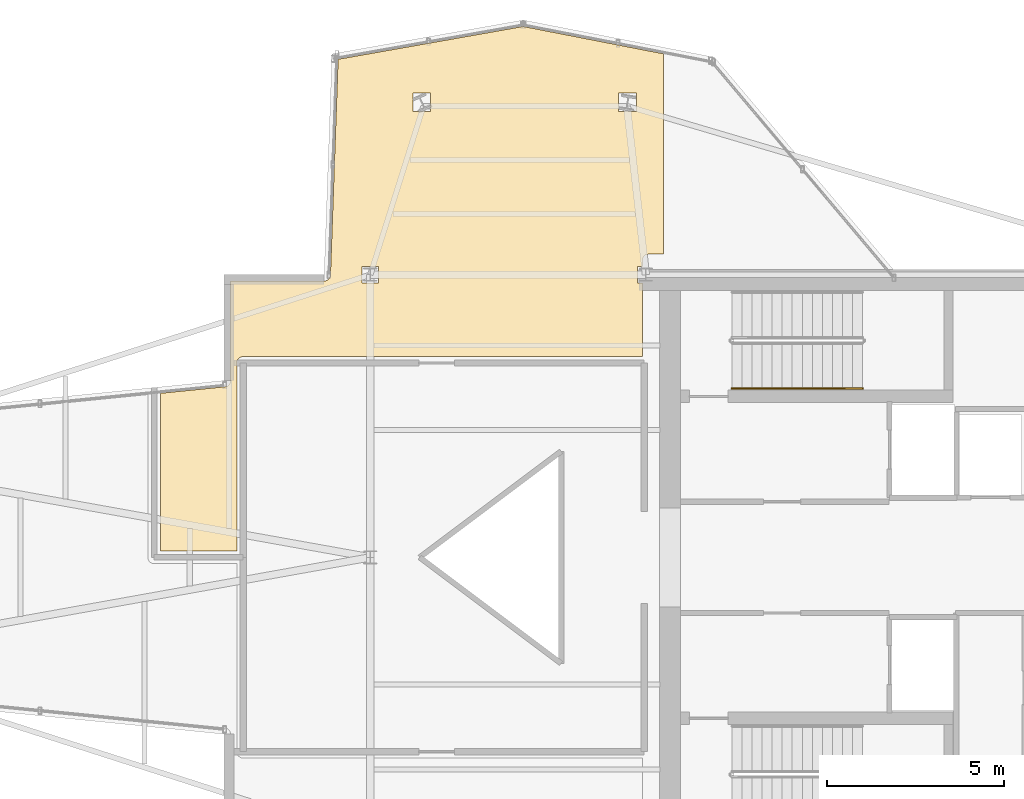
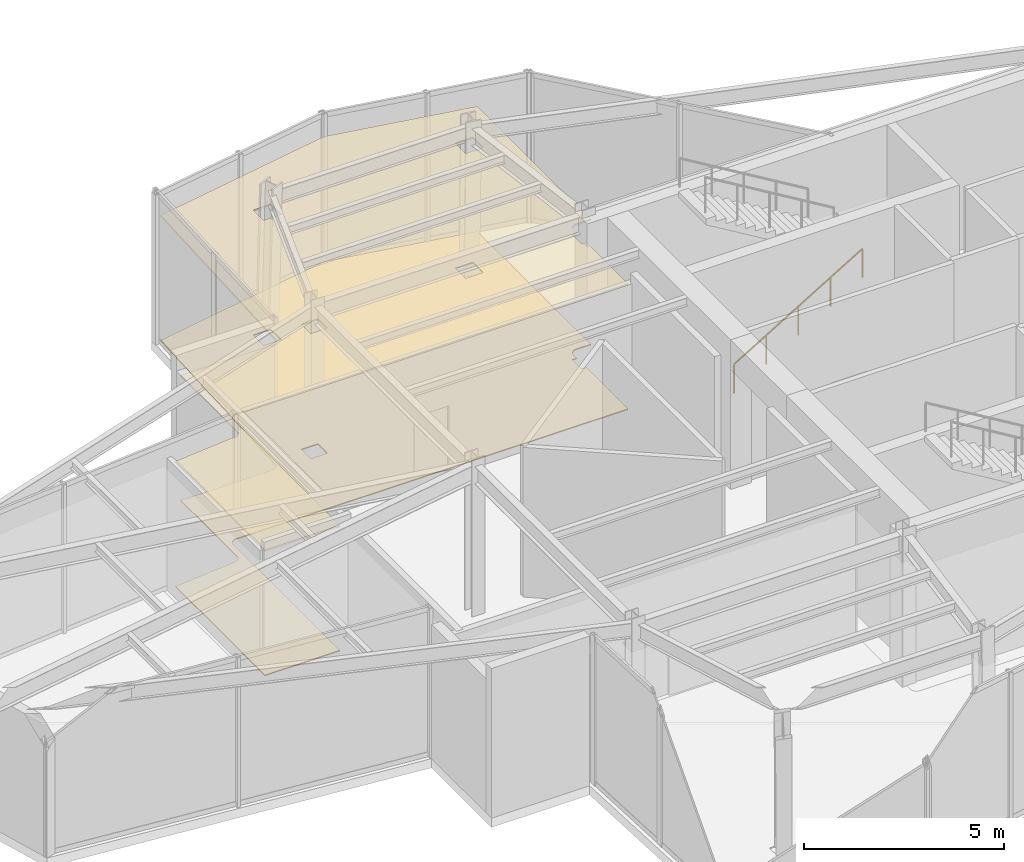
# One storey, part 14 of 15: 2 coverings, 1 railing.
"""IFC4 building model written with IfcOpenShell, lengths in metres."""

import ifcopenshell
import ifcopenshell.guid

model = None  # the IFC model being written
_history = None  # IfcOwnerHistory: only IFC2X3 demands one
_inside = {}  # id of a spatial element -> (the spatial element, [elements in it])
_under = {}  # id of a project, library or spatial element -> (it, [spatial elements below it])
_declared = {}  # id of a project -> (the project, [libraries it declares])
_typed = {}  # id of a type object -> (the type object, [elements of that type])
_made_of = {}  # id of a material, layer set ... -> (it, [elements and type objects made of it])


def new_model(schema):
    """Start an empty IFC model of exactly this schema.

    Asked for "IFC4X3", IfcOpenShell would pick the latest addendum, in which some entities
    have other attributes; the version numbers below select the first issue.
    IFC2X3 requires an IfcOwnerHistory on every rooted entity: one is made here for all.
    """
    global model, _history
    if schema == "IFC4X3":
        model = ifcopenshell.file(schema_version=(4, 3, 0, 0))
    else:
        model = ifcopenshell.file(schema=schema)
    _inside.clear()
    _under.clear()
    _declared.clear()
    _typed.clear()
    _made_of.clear()
    _history = None
    if model.schema == "IFC2X3":
        org = make("IfcOrganization", Name="unknown")
        user = make(
            "IfcPersonAndOrganization",
            ThePerson=make("IfcPerson", FamilyName="unknown"),
            TheOrganization=org,
        )
        app = make(
            "IfcApplication",
            ApplicationDeveloper=org,
            Version="unknown",
            ApplicationFullName="unknown",
            ApplicationIdentifier="unknown",
        )
        _history = make(
            "IfcOwnerHistory",
            OwningUser=user,
            OwningApplication=app,
            ChangeAction="ADDED",
            CreationDate=0,
        )
    return model


def make(cls, **values):
    """One entity of the class cls with the attributes given. An attribute that is None is left unset."""
    return model.create_entity(
        cls, **{name: value for name, value in values.items() if value is not None}
    )


def rooted(cls, **values):
    """An entity with a GlobalId (a new one), such as an element, a storey or a relation."""
    return make(cls, GlobalId=ifcopenshell.guid.new(), OwnerHistory=_history, **values)


def si_unit(unit_type, name, prefix=None):
    """IfcSIUnit, for example si_unit("LENGTHUNIT", "METRE", prefix="MILLI")."""
    return make("IfcSIUnit", UnitType=unit_type, Prefix=prefix, Name=name)


def assignment(units):
    """IfcUnitAssignment: the units of a project."""
    return None if units is None else make("IfcUnitAssignment", Units=units)


def point(xyz):
    """IfcCartesianPoint."""
    return None if xyz is None else make("IfcCartesianPoint", Coordinates=xyz)


def direction(xyz):
    """IfcDirection."""
    return None if xyz is None else make("IfcDirection", DirectionRatios=xyz)


def frame(location, z_axis=None, x_axis=None):
    """IfcAxis2Placement3D, a coordinate frame: its origin and axes. An axis left out is left unset."""
    return make(
        "IfcAxis2Placement3D",
        Location=point(location),
        Axis=direction(z_axis),
        RefDirection=direction(x_axis),
    )


def frame_2d(location, x_axis=None):
    """IfcAxis2Placement2D, a coordinate frame in the plane: its origin and x axis."""
    return make(
        "IfcAxis2Placement2D", Location=point(location), RefDirection=direction(x_axis)
    )


def origin():
    """The frame at (0, 0, 0) with its axes left unset."""
    return frame((0.0, 0.0, 0.0))


def origin_2d():
    """The frame at (0, 0) in the plane with its x axis left unset."""
    return frame_2d((0.0, 0.0))


def place(relative_to, where):
    """IfcLocalPlacement: puts the frame where relative to a parent placement (None: the world)."""
    return make(
        "IfcLocalPlacement", PlacementRelTo=relative_to, RelativePlacement=where
    )


def context(
    kind, dimensions, precision=None, world=None, true_north=None, identifier=None
):
    """IfcGeometricRepresentationContext, for example the 3D "Model" context."""
    return make(
        "IfcGeometricRepresentationContext",
        ContextIdentifier=identifier,
        ContextType=kind,
        CoordinateSpaceDimension=dimensions,
        Precision=precision,
        WorldCoordinateSystem=world,
        TrueNorth=true_north,
    )


def subcontext(parent, identifier, kind, view, scale=None):
    """IfcGeometricRepresentationSubContext, for example "Body" below "Model"."""
    return make(
        "IfcGeometricRepresentationSubContext",
        ContextIdentifier=identifier,
        ContextType=kind,
        ParentContext=parent,
        TargetScale=scale,
        TargetView=view,
    )


def project(units=None, contexts=None):
    """IfcProject with its units and contexts."""
    return rooted(
        "IfcProject",
        Name="project",
        RepresentationContexts=contexts,
        UnitsInContext=assignment(units),
    )


def spatial(cls, under=None, at=None, **own):
    """A site, building, storey or space (cls), placed at a placement, below another one or the project."""
    s = rooted(cls, ObjectPlacement=at, **own)
    if under is not None:
        _under.setdefault(under.id(), (under, []))[1].append(s)
    return s


def polyline(points):
    """IfcPolyline through the points."""
    return make("IfcPolyline", Points=[point(p) for p in points])


def profile(cls, at=None, kind="AREA", **sizes):
    """A parametric profile (cls). Its sizes go by their IFC names, for example OverallWidth=200.0."""
    return make(cls, ProfileType=kind, Position=at, **sizes)


def circle(**sizes):
    """IfcCircleProfileDef."""
    return profile("IfcCircleProfileDef", **sizes)


def outline(outer, holes=None, kind="AREA"):
    """IfcArbitraryClosedProfileDef: a profile drawn as a closed curve; with holes, ...WithVoids."""
    if holes is None:
        return make("IfcArbitraryClosedProfileDef", ProfileType=kind, OuterCurve=outer)
    return make(
        "IfcArbitraryProfileDefWithVoids",
        ProfileType=kind,
        OuterCurve=outer,
        InnerCurves=holes,
    )


def extrude(swept, where, along, depth):
    """IfcExtrudedAreaSolid: the profile swept, set in the frame where, extruded along a direction by depth."""
    return make(
        "IfcExtrudedAreaSolid",
        SweptArea=swept,
        Position=where,
        ExtrudedDirection=direction(along),
        Depth=depth,
    )


def shape(context_of_items, identifier, shape_type, items):
    """IfcShapeRepresentation: the items that make up one representation, for example the "Body"."""
    return make(
        "IfcShapeRepresentation",
        ContextOfItems=context_of_items,
        RepresentationIdentifier=identifier,
        RepresentationType=shape_type,
        Items=items,
    )


def material(Name=None, Category=None):
    """IfcMaterial."""
    return make("IfcMaterial", Name=Name, Category=Category)


def layer(
    of_material, thickness, ventilated=None, Name=None, Category=None, Priority=None
):
    """IfcMaterialLayer: one layer of a wall or slab, of a material (None: an air gap)."""
    return make(
        "IfcMaterialLayer",
        Material=of_material,
        LayerThickness=thickness,
        IsVentilated=ventilated,
        Name=Name,
        Category=Category,
        Priority=Priority,
    )


def layer_set(layers, Name=None):
    """IfcMaterialLayerSet."""
    return make("IfcMaterialLayerSet", MaterialLayers=layers, LayerSetName=Name)


def made_of(thing, what):
    """Note that an element or type object is made of a material, layer set ...; save() writes the relation."""
    if what is not None:
        _made_of.setdefault(what.id(), (what, []))[1].append(thing)
    return thing


def type_object(cls, material=None, **own):
    """A type object (cls), such as IfcWallType, which elements share."""
    return made_of(rooted(cls, **own), material)


def element(
    cls,
    number,
    at=None,
    inside=None,
    cuts=None,
    type_object=None,
    material=None,
    context=None,
    identifier="Body",
    shape_type=None,
    held_by="IfcProductDefinitionShape",
    body=None,
    shapes=None,
    **own,
):
    """One element of the class cls, such as IfcWall. Its Tag is "e" and its number.

    at: its placement. inside: the storey or other place that contains it. cuts: it is an
    opening in that element (IfcRelVoidsElement). A single representation is given by context,
    identifier, shape_type and body (its items); several are given by shapes. held_by: the class
    of the entity that holds the representations. save() writes the other relations.
    """
    e = rooted(cls, Tag="e%d" % number, ObjectPlacement=at, **own)
    if body is not None:
        shapes = [shape(context, identifier, shape_type, body)]
    if shapes is not None:
        e.Representation = make(held_by, Representations=shapes)
    if inside is not None:
        _inside.setdefault(inside.id(), (inside, []))[1].append(e)
    if cuts is not None:
        rooted(
            "IfcRelVoidsElement", RelatingBuildingElement=cuts, RelatedOpeningElement=e
        )
    if type_object is not None:
        _typed.setdefault(type_object.id(), (type_object, []))[1].append(e)
    return made_of(e, material)


def aggregate(whole, parts):
    """IfcRelAggregates: a whole, such as a stair, and the parts it consists of."""
    return rooted("IfcRelAggregates", RelatingObject=whole, RelatedObjects=parts)


def save(model, path):
    """Write the relations noted so far, then the file.

    IfcRelAggregates (storeys below a building ...), IfcRelContainedInSpatialStructure (elements
    in a storey), IfcRelDefinesByType, IfcRelAssociatesMaterial and IfcRelDeclares: one each for
    every whole, place, type object, material and project.
    """
    for whole, parts in _under.values():
        aggregate(whole, parts)
    for where, things in _inside.values():
        rooted(
            "IfcRelContainedInSpatialStructure",
            RelatedElements=things,
            RelatingStructure=where,
        )
    for kind, things in _typed.values():
        rooted("IfcRelDefinesByType", RelatedObjects=things, RelatingType=kind)
    for what, things in _made_of.values():
        rooted("IfcRelAssociatesMaterial", RelatedObjects=things, RelatingMaterial=what)
    for by, libraries in _declared.values():
        rooted("IfcRelDeclares", RelatingContext=by, RelatedDefinitions=libraries)
    model.write(path)


model = new_model("IFC4")

# Units and contexts
model_context = context("Model", 3, precision=1e-05, world=origin(), true_north=direction((0.0, 1.0)))
body_context = subcontext(model_context, "Body", "Model", "MODEL_VIEW")
ifc_project = project(units=[si_unit("LENGTHUNIT", "METRE"), si_unit("AREAUNIT", "SQUARE_METRE"), si_unit("VOLUMEUNIT", "CUBIC_METRE"), si_unit("PLANEANGLEUNIT", "RADIAN"), si_unit("MASSUNIT", "GRAM", prefix="KILO")], contexts=[model_context])

# Site, building, storey
site_placement = place(None, origin())
site = spatial("IfcSite", under=ifc_project, at=site_placement, CompositionType="ELEMENT")
building_placement = place(site_placement, origin())
building = spatial("IfcBuilding", under=site, at=building_placement, Name="Veymaron Broadcast Tower", CompositionType="ELEMENT")
storey_placement = place(building_placement, frame((0.0, 0.0, 262.050048828125)))
storey = spatial("IfcBuildingStorey", under=building, at=storey_placement, Name="L61", CompositionType="ELEMENT", Elevation=262.050048828125)

# Coverings
ifc_material_1 = material(Name="Micro-perforated dark-anodised aluminium baffle", Category="aluminium")
ifc_layer_1 = layer(ifc_material_1, 0.050048828125)
ifc_layer_set_1 = layer_set([ifc_layer_1], Name="Micro-perforated dark-anodised aluminium baffle")
covering_type_1 = type_object("IfcCoveringType", Name="COV-CEIL-MTL", PredefinedType="CEILING", material=ifc_layer_set_1)
covering_1_placement = place(storey_placement, frame((0.0, 0.0, 3.7900390625)))
element("IfcCovering", 1, at=covering_1_placement, inside=storey, type_object=covering_type_1, Name="L61 suspended acoustic ceiling 2", PredefinedType="CEILING", context=body_context, shape_type="SweptSolid", body=[
    extrude(outline(polyline([(27.2431640625, 28.987548828125), (27.243896484375, 29.005126953125), (27.243896484375, 31.820068359375), (29.892333984375, 31.820068359375), (29.90966796875, 31.82080078125), (29.9267578125, 31.8232421875), (29.943603515625, 31.827392578125), (29.959716796875, 31.8330078125), (29.9755859375, 31.84033203125), (29.990478515625, 31.84912109375), (30.00439453125, 31.859130859375), (30.017333984375, 31.87060546875), (30.029296875, 31.883056640625), (30.039794921875, 31.896728515625), (30.049072265625, 31.911376953125), (30.056884765625, 31.9267578125), (30.06298828125, 31.94287109375), (30.06787109375, 31.95947265625), (30.07080078125, 31.976318359375), (30.072265625, 31.99365234375), (30.090576171875, 32.509521484375), (30.288818359375, 38.09619140625), (35.5263671875, 39.02490234375), (39.5, 38.249755859375), (39.5, 32.580078125), (39.080078125, 32.580078125), (39.0625, 32.5791015625), (39.044921875, 32.576416015625), (39.027587890625, 32.572265625), (39.010986328125, 32.56640625), (38.9951171875, 32.55859375), (38.97998046875, 32.5498046875), (38.9658203125, 32.5390625), (38.95263671875, 32.52734375), (38.94091796875, 32.51416015625), (38.930419921875, 32.5), (38.92138671875, 32.48486328125), (38.913818359375, 32.468994140625), (38.90771484375, 32.452392578125), (38.903564453125, 32.43505859375), (38.90087890625, 32.41748046875), (38.89990234375, 32.39990234375), (38.89990234375, 32.23388671875), (38.763427734375, 32.23388671875), (38.763427734375, 31.76611328125), (38.89990234375, 31.76611328125), (38.89990234375, 29.679931640625), (27.60009765625, 29.679931640625), (27.58251953125, 29.67919921875), (27.56494140625, 29.676513671875), (27.547607421875, 29.672119140625), (27.531005859375, 29.666259765625), (27.51513671875, 29.65869140625), (27.5, 29.649658203125), (27.48583984375, 29.63916015625), (27.47265625, 29.627197265625), (27.4609375, 29.6142578125), (27.4501953125, 29.60009765625), (27.44140625, 29.5849609375), (27.43359375, 29.56884765625), (27.427734375, 29.55224609375), (27.423583984375, 29.53515625), (27.4208984375, 29.517578125), (27.419921875, 29.5), (27.419921875, 24.179931640625), (25.263916015625, 24.179931640625), (25.263916015625, 28.643798828125), (27.08203125, 28.825927734375), (27.099365234375, 28.82861328125), (27.116455078125, 28.8330078125), (27.133056640625, 28.8388671875), (27.149169921875, 28.846435546875), (27.164306640625, 28.855712890625), (27.17822265625, 28.8662109375), (27.19140625, 28.8779296875), (27.203125, 28.89111328125), (27.213623046875, 28.9052734375), (27.222900390625, 28.92041015625), (27.230224609375, 28.936279296875), (27.236328125, 28.952880859375), (27.240478515625, 28.969970703125), (27.2431640625, 28.987548828125)]), holes=[polyline([(38.22705078125, 36.6220703125), (38.73291015625, 36.6220703125), (38.73291015625, 37.137939453125), (38.22705078125, 37.137939453125), (38.22705078125, 36.6220703125)]), polyline([(32.908935546875, 36.6220703125), (32.908935546875, 37.137939453125), (32.403076171875, 37.137939453125), (32.403076171875, 36.6220703125), (32.908935546875, 36.6220703125)]), polyline([(31.4365234375, 31.76611328125), (31.4365234375, 32.23388671875), (30.96337890625, 32.23388671875), (30.96337890625, 31.76611328125), (31.4365234375, 31.76611328125)])]), origin(), (0.0, 0.0, 1.0), 0.0498046875),
])
ifc_material_2 = material(Name="Honed Saudi basalt stone flooring", Category="masonry")
ifc_layer_2 = layer(ifc_material_2, 0.030029296875)
ifc_layer_set_2 = layer_set([ifc_layer_2], Name="Honed Saudi basalt stone flooring")
covering_type_2 = type_object("IfcCoveringType", Name="COV-FLR-STN", PredefinedType="FLOORING", material=ifc_layer_set_2)
covering_2_placement = place(storey_placement, origin())
element("IfcCovering", 2, at=covering_2_placement, inside=storey, type_object=covering_type_2, Name="L61 finished flooring 2", PredefinedType="FLOORING", context=body_context, shape_type="SweptSolid", body=[
    extrude(outline(polyline([(27.2431640625, 28.987548828125), (27.243896484375, 29.005126953125), (27.243896484375, 31.820068359375), (29.892333984375, 31.820068359375), (29.90966796875, 31.82080078125), (29.9267578125, 31.8232421875), (29.943603515625, 31.827392578125), (29.959716796875, 31.8330078125), (29.9755859375, 31.84033203125), (29.990478515625, 31.84912109375), (30.00439453125, 31.859130859375), (30.017333984375, 31.87060546875), (30.029296875, 31.883056640625), (30.039794921875, 31.896728515625), (30.049072265625, 31.911376953125), (30.056884765625, 31.9267578125), (30.06298828125, 31.94287109375), (30.06787109375, 31.95947265625), (30.07080078125, 31.976318359375), (30.072265625, 31.99365234375), (30.090576171875, 32.509521484375), (30.288818359375, 38.09619140625), (35.5263671875, 39.02490234375), (39.5, 38.249755859375), (39.5, 32.580078125), (39.080078125, 32.580078125), (39.0625, 32.5791015625), (39.044921875, 32.576416015625), (39.027587890625, 32.572265625), (39.010986328125, 32.56640625), (38.9951171875, 32.55859375), (38.97998046875, 32.5498046875), (38.9658203125, 32.5390625), (38.95263671875, 32.52734375), (38.94091796875, 32.51416015625), (38.930419921875, 32.5), (38.92138671875, 32.48486328125), (38.913818359375, 32.468994140625), (38.90771484375, 32.452392578125), (38.903564453125, 32.43505859375), (38.90087890625, 32.41748046875), (38.89990234375, 32.39990234375), (38.89990234375, 32.23388671875), (38.763427734375, 32.23388671875), (38.763427734375, 31.76611328125), (38.89990234375, 31.76611328125), (38.89990234375, 29.679931640625), (27.60009765625, 29.679931640625), (27.58251953125, 29.67919921875), (27.56494140625, 29.676513671875), (27.547607421875, 29.672119140625), (27.531005859375, 29.666259765625), (27.51513671875, 29.65869140625), (27.5, 29.649658203125), (27.48583984375, 29.63916015625), (27.47265625, 29.627197265625), (27.4609375, 29.6142578125), (27.4501953125, 29.60009765625), (27.44140625, 29.5849609375), (27.43359375, 29.56884765625), (27.427734375, 29.55224609375), (27.423583984375, 29.53515625), (27.4208984375, 29.517578125), (27.419921875, 29.5), (27.419921875, 24.179931640625), (25.263916015625, 24.179931640625), (25.263916015625, 28.643798828125), (27.08203125, 28.825927734375), (27.099365234375, 28.82861328125), (27.116455078125, 28.8330078125), (27.133056640625, 28.8388671875), (27.149169921875, 28.846435546875), (27.164306640625, 28.855712890625), (27.17822265625, 28.8662109375), (27.19140625, 28.8779296875), (27.203125, 28.89111328125), (27.213623046875, 28.9052734375), (27.222900390625, 28.92041015625), (27.230224609375, 28.936279296875), (27.236328125, 28.952880859375), (27.240478515625, 28.969970703125), (27.2431640625, 28.987548828125)]), holes=[polyline([(38.22705078125, 36.6220703125), (38.73291015625, 36.6220703125), (38.73291015625, 37.137939453125), (38.22705078125, 37.137939453125), (38.22705078125, 36.6220703125)]), polyline([(32.908935546875, 36.6220703125), (32.908935546875, 37.137939453125), (32.403076171875, 37.137939453125), (32.403076171875, 36.6220703125), (32.908935546875, 36.6220703125)]), polyline([(31.4365234375, 31.76611328125), (31.4365234375, 32.23388671875), (30.96337890625, 32.23388671875), (30.96337890625, 31.76611328125), (31.4365234375, 31.76611328125)])]), origin(), (0.0, 0.0, 1.0), 0.030029296875),
])

# Railing
ifc_material_3 = material(Name="Brushed stainless steel AISI 304", Category="steel")
railing_type = type_object("IfcRailingType", Name="RAIL-STAIR-HR", PredefinedType="HANDRAIL", material=ifc_material_3)
railing_placement = place(storey_placement, frame((41.429931640625, 28.780029296875, 0.17138671875)))
element("IfcRailing", 3, at=railing_placement, inside=storey, type_object=railing_type, Name="L61 ST1 stair handrail 1", PredefinedType="HANDRAIL", context=body_context, shape_type="SweptSolid", body=[
    extrude(circle(Radius=0.02392578125, at=origin_2d()), frame((0.0, 0.0, 0.8759765625), z_axis=(0.856934400257, 0.0, 0.515425487977), x_axis=(0.0, 1.0, 0.0)), (0.0, 0.0, 1.0), 4.32373046875),
    extrude(circle(Radius=0.02099609375, at=origin_2d()), origin(), (0.0, 0.0, 1.0), 0.851806640625),
    extrude(circle(Radius=0.02099609375, at=origin_2d()), frame((0.92626953125, 0.0, 0.55712890625)), (0.0, 0.0, 1.0), 0.851806640625),
    extrude(circle(Radius=0.02099609375, at=origin_2d()), frame((1.8525390625, 0.0, 1.1142578125)), (0.0, 0.0, 1.0), 0.851806640625),
    extrude(circle(Radius=0.02099609375, at=origin_2d()), frame((2.77880859375, 0.0, 1.67138671875)), (0.0, 0.0, 1.0), 0.851806640625),
    extrude(circle(Radius=0.02099609375, at=origin_2d()), frame((3.705078125, 0.0, 2.228515625)), (0.0, 0.0, 1.0), 0.851806640625),
])

save(model, "model.ifc")
